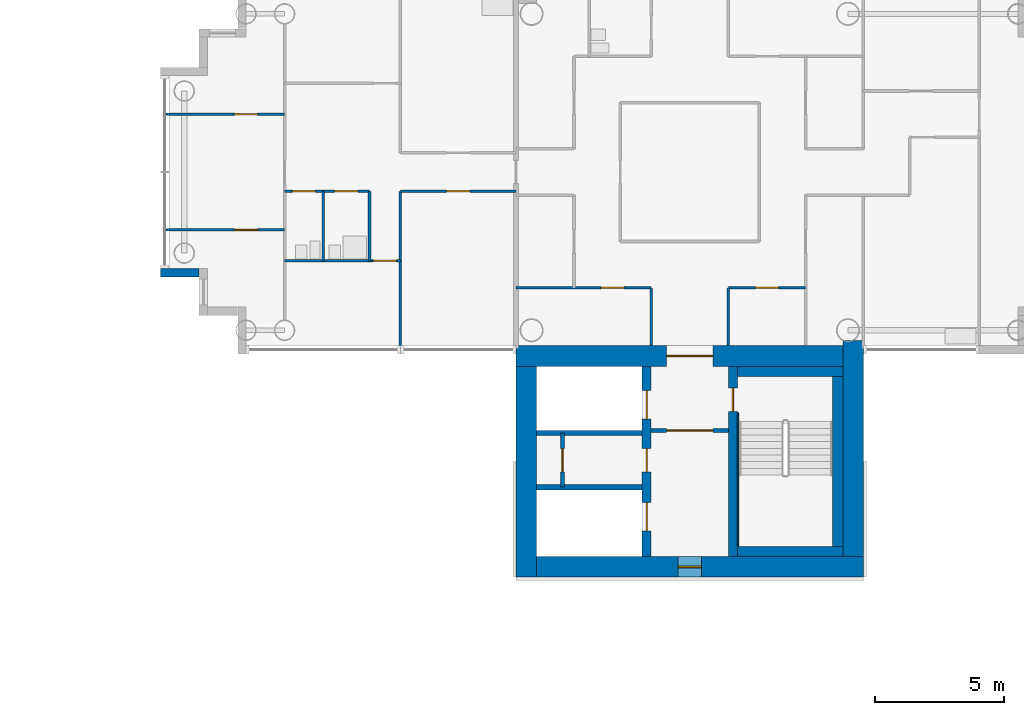
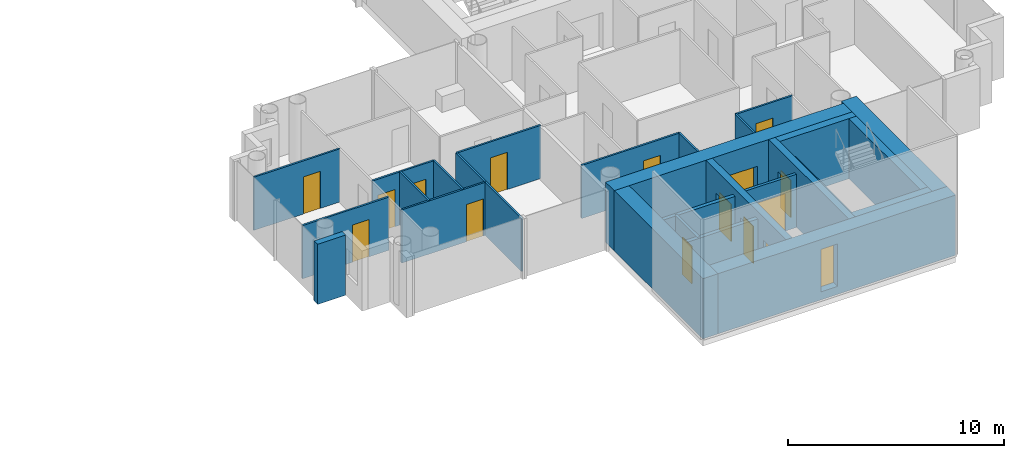
# One storey, part 10 of 20: 27 walls, 15 doors, 1 window, 16 openings.
"""IFC4 building model written with IfcOpenShell, lengths in metres."""

from ifc_helpers import new_model, si_unit, direction, frame, frame_2d, origin, place, context, subcontext, project, spatial, rectangle, extrude, material, layer, layer_set, type_object, element, fill, save


model = new_model("IFC4")

# Units and contexts
model_context = context("Model", 3, precision=1e-05, world=origin(), true_north=direction((0.0, 1.0)))
body_context = subcontext(model_context, "Body", "Model", "MODEL_VIEW")
ifc_project = project(units=[si_unit("LENGTHUNIT", "METRE"), si_unit("AREAUNIT", "SQUARE_METRE"), si_unit("VOLUMEUNIT", "CUBIC_METRE"), si_unit("PLANEANGLEUNIT", "RADIAN"), si_unit("MASSUNIT", "GRAM", prefix="KILO")], contexts=[model_context])

# Site, building, storey
site_placement = place(None, origin())
site = spatial("IfcSite", under=ifc_project, at=site_placement, CompositionType="ELEMENT")
building_placement = place(site_placement, origin())
building = spatial("IfcBuilding", under=site, at=building_placement, Name="Ipe Terrace Towers", CompositionType="ELEMENT")
storey_placement = place(building_placement, frame((0.0, 0.0, 160.89990234375)))
storey = spatial("IfcBuildingStorey", under=building, at=storey_placement, Name="L44", CompositionType="ELEMENT", Elevation=160.89990234375)

# Wall
ifc_material_1 = material(Name="Concrete C40/50 with buff precast cladding", Category="concrete")
ifc_layer_1 = layer(ifc_material_1, 0.320068359375)
ifc_layer_set_1 = layer_set([ifc_layer_1], Name="BUFF CLADDING WALL 320")
wall_type_1 = type_object("IfcWallType", Name="BUFF CLADDING WALL 320", PredefinedType="STANDARD", material=ifc_layer_set_1)
wall_1_placement = place(storey_placement, frame((15.429931640625, -3.909912109375, -0.2998046875), z_axis=(0.0, 0.0, 1.0), x_axis=(1.0, 0.0, 0.0)))
element("IfcWall", 1, at=wall_1_placement, inside=storey, type_object=wall_type_1, Name="T2-W-L44-35a wall", PredefinedType="STANDARD", context=body_context, shape_type="SweptSolid", body=[
    extrude(rectangle(XDim=1.5, YDim=0.320068359375, at=frame_2d((0.75, 0.0))), origin(), (0.0, 0.0, 1.0), 3.39990234375),
])

# Wall, opening, door
ifc_material_2 = material(Name="Gypsum board partition", Category="plasterboard")
ifc_layer_2 = layer(ifc_material_2, 0.10009765625)
ifc_layer_set_2 = layer_set([ifc_layer_2], Name="Gypsum board partition 100 mm")
wall_type_2 = type_object("IfcWallType", Name="Gypsum board partition 100 mm", PredefinedType="PARTITIONING", material=ifc_layer_set_2)
wall_2_placement = place(storey_placement, frame((40.5, -4.5, 0.0), z_axis=(0.0, 0.0, 1.0), x_axis=(-1.0, 0.0, 0.0)))
wall_2 = element("IfcWall", 2, at=wall_2_placement, inside=storey, type_object=wall_type_2, Name="Gypsum board partition T2 L44 W01", PredefinedType="PARTITIONING", context=body_context, shape_type="SweptSolid", body=[
    extrude(rectangle(XDim=3.0, YDim=0.10009765625, at=frame_2d((1.5, 0.0))), origin(), (0.0, 0.0, 1.0), 3.0),
])
opening_1_placement = place(wall_2_placement, frame((1.050048828125, 0.0, 0.0)))
opening_1 = element("IfcOpeningElement", 3, at=opening_1_placement, cuts=wall_2, Name="Opening T2-Z3C-07", PredefinedType="OPENING", context=body_context, shape_type="SweptSolid", body=[
    extrude(rectangle(XDim=0.89990234375, YDim=2.10009765625, at=frame_2d((0.449951171875, 1.050048828125))), frame((0.0, 0.06005859375, 0.0), z_axis=(0.0, -1.0, 0.0), x_axis=(1.0, 0.0, 0.0)), (0.0, 0.0, 1.0), 0.1201171875),
])
ifc_material_3 = material(Name="Timber door leaf", Category="wood")
door_type_1 = type_object("IfcDoorType", Name="Lounge door 900 x 2100", OperationType="NOTDEFINED", PredefinedType="DOOR", material=ifc_material_3)
door_1_placement = place(opening_1_placement, origin())
door_1 = element("IfcDoor", 4, at=door_1_placement, inside=storey, type_object=door_type_1, Name="Lounge door T2-Z3C-07", OperationType="SINGLE_SWING_LEFT", OverallHeight=2.10009765625, OverallWidth=0.89990234375, PredefinedType="DOOR", context=body_context, shape_type="SweptSolid", body=[
    extrude(rectangle(XDim=0.89990234375, YDim=2.10009765625, at=frame_2d((0.449951171875, 1.050048828125))), frame((0.0, 0.02490234375, 0.0), z_axis=(0.0, -1.0, 0.0), x_axis=(1.0, 0.0, 0.0)), (0.0, 0.0, 1.0), 0.050048828125),
])
fill(opening_1, door_1)

wall_3_placement = place(storey_placement, frame((34.5, -4.5, 0.0), z_axis=(0.0, 0.0, 1.0), x_axis=(-1.0, 0.0, 0.0)))
wall_3 = element("IfcWall", 5, at=wall_3_placement, inside=storey, type_object=wall_type_2, Name="Gypsum board partition T2 L44 W02", PredefinedType="PARTITIONING", context=body_context, shape_type="SweptSolid", body=[
    extrude(rectangle(XDim=5.25, YDim=0.10009765625, at=frame_2d((2.625, 0.0))), origin(), (0.0, 0.0, 1.0), 3.0),
])
opening_2_placement = place(wall_3_placement, frame((1.050048828125, 0.0, 0.0)))
opening_2 = element("IfcOpeningElement", 6, at=opening_2_placement, cuts=wall_3, Name="Opening T2-Z3C-05", PredefinedType="OPENING", context=body_context, shape_type="SweptSolid", body=[
    extrude(rectangle(XDim=0.89990234375, YDim=2.10009765625, at=frame_2d((0.449951171875, 1.050048828125))), frame((0.0, 0.06005859375, 0.0), z_axis=(0.0, -1.0, 0.0), x_axis=(1.0, 0.0, 0.0)), (0.0, 0.0, 1.0), 0.1201171875),
])
door_2_placement = place(opening_2_placement, origin())
door_2 = element("IfcDoor", 7, at=door_2_placement, inside=storey, type_object=door_type_1, Name="Lounge door T2-Z3C-05", OperationType="SINGLE_SWING_RIGHT", OverallHeight=2.10009765625, OverallWidth=0.89990234375, PredefinedType="DOOR", context=body_context, shape_type="SweptSolid", body=[
    extrude(rectangle(XDim=0.89990234375, YDim=2.10009765625, at=frame_2d((0.449951171875, 1.050048828125))), frame((0.0, 0.02490234375, 0.0), z_axis=(0.0, -1.0, 0.0), x_axis=(1.0, 0.0, 0.0)), (0.0, 0.0, 1.0), 0.050048828125),
])
fill(opening_2, door_2)

wall_4_placement = place(storey_placement, frame((24.75, -3.449951171875, 0.0), z_axis=(0.0, 0.0, 1.0), x_axis=(-1.0, 0.0, 0.0)))
wall_4 = element("IfcWall", 8, at=wall_4_placement, inside=storey, type_object=wall_type_2, Name="Gypsum board partition T2 L44 W03", PredefinedType="PARTITIONING", context=body_context, shape_type="SweptSolid", body=[
    extrude(rectangle(XDim=4.5, YDim=0.10009765625, at=frame_2d((2.25, 0.0))), origin(), (0.0, 0.0, 1.0), 3.0),
])
opening_3_placement = place(wall_4_placement, frame((0.14990234375, 0.0, 0.0)))
opening_3 = element("IfcOpeningElement", 9, at=opening_3_placement, cuts=wall_4, Name="Opening T2-Z3C-15", PredefinedType="OPENING", context=body_context, shape_type="SweptSolid", body=[
    extrude(rectangle(XDim=0.89990234375, YDim=2.10009765625, at=frame_2d((0.449951171875, 1.050048828125))), frame((0.0, 0.06005859375, 0.0), z_axis=(0.0, -1.0, 0.0), x_axis=(1.0, 0.0, 0.0)), (0.0, 0.0, 1.0), 0.1201171875),
])
ifc_material_4 = material(Name="Timber door leaf", Category="wood")
door_type_2 = type_object("IfcDoorType", Name="Bedroom door 900 x 2100", OperationType="NOTDEFINED", PredefinedType="DOOR", material=ifc_material_4)
door_3_placement = place(opening_3_placement, origin())
door_3 = element("IfcDoor", 10, at=door_3_placement, inside=storey, type_object=door_type_2, Name="Bedroom door T2-Z3C-15", OperationType="SINGLE_SWING_RIGHT", OverallHeight=2.10009765625, OverallWidth=0.89990234375, PredefinedType="DOOR", context=body_context, shape_type="SweptSolid", body=[
    extrude(rectangle(XDim=0.89990234375, YDim=2.10009765625, at=frame_2d((0.449951171875, 1.050048828125))), frame((0.0, 0.02490234375, 0.0), z_axis=(0.0, -1.0, 0.0), x_axis=(1.0, 0.0, 0.0)), (0.0, 0.0, 1.0), 0.050048828125),
])
fill(opening_3, door_3)

wall_5_placement = place(storey_placement, frame((20.25, -2.25, 0.0), z_axis=(0.0, 0.0, 1.0), x_axis=(-1.0, 0.0, 0.0)))
wall_5 = element("IfcWall", 11, at=wall_5_placement, inside=storey, type_object=wall_type_2, Name="Gypsum board partition T2 L44 W05", PredefinedType="PARTITIONING", context=body_context, shape_type="SweptSolid", body=[
    extrude(rectangle(XDim=4.60009765625, YDim=0.10009765625, at=frame_2d((2.300048828125, 0.0))), origin(), (0.0, 0.0, 1.0), 3.0),
])
opening_4_placement = place(wall_5_placement, frame((1.050048828125, 0.0, 0.0)))
opening_4 = element("IfcOpeningElement", 12, at=opening_4_placement, cuts=wall_5, Name="Opening T2-Z3C-18", PredefinedType="OPENING", context=body_context, shape_type="SweptSolid", body=[
    extrude(rectangle(XDim=0.89990234375, YDim=2.10009765625, at=frame_2d((0.449951171875, 1.050048828125))), frame((0.0, 0.06005859375, 0.0), z_axis=(0.0, -1.0, 0.0), x_axis=(1.0, 0.0, 0.0)), (0.0, 0.0, 1.0), 0.1201171875),
])
door_4_placement = place(opening_4_placement, origin())
door_4 = element("IfcDoor", 13, at=door_4_placement, inside=storey, type_object=door_type_2, Name="Bedroom door T2-Z3C-18", OperationType="SINGLE_SWING_RIGHT", OverallHeight=2.10009765625, OverallWidth=0.89990234375, PredefinedType="DOOR", context=body_context, shape_type="SweptSolid", body=[
    extrude(rectangle(XDim=0.89990234375, YDim=2.10009765625, at=frame_2d((0.449951171875, 1.050048828125))), frame((0.0, 0.02490234375, 0.0), z_axis=(0.0, -1.0, 0.0), x_axis=(1.0, 0.0, 0.0)), (0.0, 0.0, 1.0), 0.050048828125),
])
fill(opening_4, door_4)

wall_6_placement = place(storey_placement, frame((29.25, -0.75, 0.0), z_axis=(0.0, 0.0, 1.0), x_axis=(-1.0, 0.0, 0.0)))
wall_6 = element("IfcWall", 14, at=wall_6_placement, inside=storey, type_object=wall_type_2, Name="Gypsum board partition T2 L44 W08", PredefinedType="PARTITIONING", context=body_context, shape_type="SweptSolid", body=[
    extrude(rectangle(XDim=4.5, YDim=0.10009765625, at=frame_2d((2.25, 0.0))), origin(), (0.0, 0.0, 1.0), 3.0),
])
opening_5_placement = place(wall_6_placement, frame((1.800048828125, 0.0, 0.0)))
opening_5 = element("IfcOpeningElement", 15, at=opening_5_placement, cuts=wall_6, Name="Opening T2-Z3C-10", PredefinedType="OPENING", context=body_context, shape_type="SweptSolid", body=[
    extrude(rectangle(XDim=0.89990234375, YDim=2.10009765625, at=frame_2d((0.449951171875, 1.050048828125))), frame((0.0, 0.06005859375, 0.0), z_axis=(0.0, -1.0, 0.0), x_axis=(1.0, 0.0, 0.0)), (0.0, 0.0, 1.0), 0.1201171875),
])
door_5_placement = place(opening_5_placement, origin())
door_5 = element("IfcDoor", 16, at=door_5_placement, inside=storey, type_object=door_type_1, Name="Lounge door T2-Z3C-10", OperationType="SINGLE_SWING_LEFT", OverallHeight=2.10009765625, OverallWidth=0.89990234375, PredefinedType="DOOR", context=body_context, shape_type="SweptSolid", body=[
    extrude(rectangle(XDim=0.89990234375, YDim=2.10009765625, at=frame_2d((0.449951171875, 1.050048828125))), frame((0.0, 0.02490234375, 0.0), z_axis=(0.0, -1.0, 0.0), x_axis=(1.0, 0.0, 0.0)), (0.0, 0.0, 1.0), 0.050048828125),
])
fill(opening_5, door_5)

# Wall, openings, doors
wall_7_placement = place(storey_placement, frame((23.550048828125, -0.75, 0.0), z_axis=(0.0, 0.0, 1.0), x_axis=(-1.0, 0.0, 0.0)))
wall_7 = element("IfcWall", 17, at=wall_7_placement, inside=storey, type_object=wall_type_2, Name="Gypsum board partition T2 L44 W09", PredefinedType="PARTITIONING", context=body_context, shape_type="SweptSolid", body=[
    extrude(rectangle(XDim=3.300048828125, YDim=0.10009765625, at=frame_2d((1.64990234375, 0.0))), origin(), (0.0, 0.0, 1.0), 3.0),
])
opening_6_placement = place(wall_7_placement, frame((0.449951171875, 0.0, 0.0)))
opening_6 = element("IfcOpeningElement", 18, at=opening_6_placement, cuts=wall_7, Name="Opening T2-Z3C-13", PredefinedType="OPENING", context=body_context, shape_type="SweptSolid", body=[
    extrude(rectangle(XDim=0.89990234375, YDim=2.10009765625, at=frame_2d((0.449951171875, 1.050048828125))), frame((0.0, 0.06005859375, 0.0), z_axis=(0.0, -1.0, 0.0), x_axis=(1.0, 0.0, 0.0)), (0.0, 0.0, 1.0), 0.1201171875),
])
opening_7_placement = place(wall_7_placement, frame((2.10009765625, 0.0, 0.0)))
opening_7 = element("IfcOpeningElement", 19, at=opening_7_placement, cuts=wall_7, Name="Opening T2-Z3C-14", PredefinedType="OPENING", context=body_context, shape_type="SweptSolid", body=[
    extrude(rectangle(XDim=0.89990234375, YDim=2.10009765625, at=frame_2d((0.449951171875, 1.050048828125))), frame((0.0, 0.06005859375, 0.0), z_axis=(0.0, -1.0, 0.0), x_axis=(1.0, 0.0, 0.0)), (0.0, 0.0, 1.0), 0.1201171875),
])
ifc_material_5 = material(Name="Timber door leaf", Category="wood")
door_type_3 = type_object("IfcDoorType", Name="Bathroom door 900 x 2100", OperationType="NOTDEFINED", PredefinedType="DOOR", material=ifc_material_5)
door_6_placement = place(opening_6_placement, origin())
door_6 = element("IfcDoor", 20, at=door_6_placement, inside=storey, type_object=door_type_3, Name="Bathroom door T2-Z3C-13", OperationType="SINGLE_SWING_RIGHT", OverallHeight=2.10009765625, OverallWidth=0.89990234375, PredefinedType="DOOR", context=body_context, shape_type="SweptSolid", body=[
    extrude(rectangle(XDim=0.89990234375, YDim=2.10009765625, at=frame_2d((0.449951171875, 1.050048828125))), frame((0.0, 0.02490234375, 0.0), z_axis=(0.0, -1.0, 0.0), x_axis=(1.0, 0.0, 0.0)), (0.0, 0.0, 1.0), 0.050048828125),
])
fill(opening_6, door_6)
door_7_placement = place(opening_7_placement, origin())
door_7 = element("IfcDoor", 21, at=door_7_placement, inside=storey, type_object=door_type_3, Name="Bathroom door T2-Z3C-14", OperationType="SINGLE_SWING_LEFT", OverallHeight=2.10009765625, OverallWidth=0.89990234375, PredefinedType="DOOR", context=body_context, shape_type="SweptSolid", body=[
    extrude(rectangle(XDim=0.89990234375, YDim=2.10009765625, at=frame_2d((0.449951171875, 1.050048828125))), frame((0.0, 0.02490234375, 0.0), z_axis=(0.0, -1.0, 0.0), x_axis=(1.0, 0.0, 0.0)), (0.0, 0.0, 1.0), 0.050048828125),
])
fill(opening_7, door_7)

# Wall, opening, door
wall_8_placement = place(storey_placement, frame((20.25, 2.25, 0.0), z_axis=(0.0, 0.0, 1.0), x_axis=(-1.0, 0.0, 0.0)))
wall_8 = element("IfcWall", 22, at=wall_8_placement, inside=storey, type_object=wall_type_2, Name="Gypsum board partition T2 L44 W14", PredefinedType="PARTITIONING", context=body_context, shape_type="SweptSolid", body=[
    extrude(rectangle(XDim=4.60009765625, YDim=0.10009765625, at=frame_2d((2.300048828125, 0.0))), origin(), (0.0, 0.0, 1.0), 3.0),
])
opening_8_placement = place(wall_8_placement, frame((1.050048828125, 0.0, 0.0)))
opening_8 = element("IfcOpeningElement", 23, at=opening_8_placement, cuts=wall_8, Name="Opening T2-Z3C-19", PredefinedType="OPENING", context=body_context, shape_type="SweptSolid", body=[
    extrude(rectangle(XDim=0.89990234375, YDim=2.10009765625, at=frame_2d((0.449951171875, 1.050048828125))), frame((0.0, 0.06005859375, 0.0), z_axis=(0.0, -1.0, 0.0), x_axis=(1.0, 0.0, 0.0)), (0.0, 0.0, 1.0), 0.1201171875),
])
door_8_placement = place(opening_8_placement, origin())
door_8 = element("IfcDoor", 24, at=door_8_placement, inside=storey, type_object=door_type_2, Name="Bedroom door T2-Z3C-19", OperationType="SINGLE_SWING_LEFT", OverallHeight=2.10009765625, OverallWidth=0.89990234375, PredefinedType="DOOR", context=body_context, shape_type="SweptSolid", body=[
    extrude(rectangle(XDim=0.89990234375, YDim=2.10009765625, at=frame_2d((0.449951171875, 1.050048828125))), frame((0.0, 0.02490234375, 0.0), z_axis=(0.0, -1.0, 0.0), x_axis=(1.0, 0.0, 0.0)), (0.0, 0.0, 1.0), 0.050048828125),
])
fill(opening_8, door_8)

# Walls
for number, where, z_axis, x_axis, name in (
    (25, (37.5, -6.75, 0.0), (0.0, 0.0, 1.0), (0.0, 1.0, 0.0), "Gypsum board partition T2 L44 W30"),
    (26, (34.5, -6.75, 0.0), (0.0, 0.0, 1.0), (0.0, 1.0, 0.0), "Gypsum board partition T2 L44 W34"),
):
    element("IfcWall", number, at=place(storey_placement, frame(where, z_axis=z_axis, x_axis=x_axis)), inside=storey, type_object=wall_type_2, Name=name, PredefinedType="PARTITIONING", context=body_context, shape_type="SweptSolid", body=[
        extrude(rectangle(XDim=2.25, YDim=0.10009765625, at=frame_2d((1.125, 0.0))), origin(), (0.0, 0.0, 1.0), 3.0),
    ])
wall_9_placement = place(storey_placement, frame((24.75, -6.85009765625, 0.0), z_axis=(0.0, 0.0, 1.0), x_axis=(0.0, 1.0, 0.0)))
element("IfcWall", 27, at=wall_9_placement, inside=storey, type_object=wall_type_2, Name="Gypsum board partition T2 L44 W43", PredefinedType="PARTITIONING", context=body_context, shape_type="SweptSolid", body=[
    extrude(rectangle(XDim=6.10009765625, YDim=0.10009765625, at=frame_2d((3.050048828125, 0.0))), origin(), (0.0, 0.0, 1.0), 3.0),
])
for number, where, z_axis, x_axis, name in (
    (28, (23.550048828125, -3.449951171875, 0.0), (0.0, 0.0, 1.0), (0.0, 1.0, 0.0), "Gypsum board partition T2 L44 W45"),
    (29, (21.75, -3.449951171875, 0.0), (0.0, 0.0, 1.0), (0.0, 1.0, 0.0), "Gypsum board partition T2 L44 W46"),
):
    element("IfcWall", number, at=place(storey_placement, frame(where, z_axis=z_axis, x_axis=x_axis)), inside=storey, type_object=wall_type_2, Name=name, PredefinedType="PARTITIONING", context=body_context, shape_type="SweptSolid", body=[
        extrude(rectangle(XDim=2.699951171875, YDim=0.10009765625, at=frame_2d((1.35009765625, 0.0))), origin(), (0.0, 0.0, 1.0), 3.0),
    ])

# Wall, opening, door
ifc_material_6 = material(Name="Gypsum board partition", Category="plasterboard")
ifc_layer_3 = layer(ifc_material_6, 0.14990234375)
ifc_layer_set_3 = layer_set([ifc_layer_3], Name="Gypsum board partition 150 mm")
wall_type_3 = type_object("IfcWallType", Name="Gypsum board partition 150 mm", PredefinedType="PARTITIONING", material=ifc_layer_set_3)
wall_10_placement = place(storey_placement, frame((34.5, -10.050048828125, 0.0), z_axis=(0.0, 0.0, 1.0), x_axis=(1.0, 0.0, 0.0)))
wall_10 = element("IfcWall", 30, at=wall_10_placement, inside=storey, type_object=wall_type_3, Name="Gypsum board partition T2 L44 t2c2-lobby-wall", PredefinedType="PARTITIONING", context=body_context, shape_type="SweptSolid", body=[
    extrude(rectangle(XDim=3.0, YDim=0.14990234375, at=frame_2d((1.5, 0.0))), origin(), (0.0, 0.0, 1.0), 3.0),
])
opening_9_placement = place(wall_10_placement, frame((0.60009765625, 0.0, 0.0)))
opening_9 = element("IfcOpeningElement", 31, at=opening_9_placement, cuts=wall_10, Name="Opening T2C2-VD", PredefinedType="OPENING", context=body_context, shape_type="SweptSolid", body=[
    extrude(rectangle(XDim=1.800048828125, YDim=2.10009765625, at=frame_2d((0.89990234375, 1.050048828125))), frame((0.0, 0.0849609375, 0.0), z_axis=(0.0, -1.0, 0.0), x_axis=(1.0, 0.0, 0.0)), (0.0, 0.0, 1.0), 0.169921875),
])
ifc_material_7 = material(Name="Fire-rated timber door leaf", Category="wood")
door_type_4 = type_object("IfcDoorType", Name="Lobby door 1800 x 2100 FD60", OperationType="NOTDEFINED", PredefinedType="DOOR", material=ifc_material_7)
door_9_placement = place(opening_9_placement, origin())
door_9 = element("IfcDoor", 32, at=door_9_placement, inside=storey, type_object=door_type_4, Name="Lobby door T2C2-VD", OperationType="SINGLE_SWING_LEFT", OverallHeight=2.10009765625, OverallWidth=1.800048828125, PredefinedType="DOOR", context=body_context, shape_type="SweptSolid", body=[
    extrude(rectangle(XDim=1.800048828125, YDim=2.10009765625, at=frame_2d((0.89990234375, 1.050048828125))), frame((0.0, 0.02490234375, 0.0), z_axis=(0.0, -1.0, 0.0), x_axis=(1.0, 0.0, 0.0)), (0.0, 0.0, 1.0), 0.050048828125),
])
fill(opening_9, door_9)

wall_11_placement = place(storey_placement, frame((31.050048828125, -10.14990234375, 0.0), z_axis=(0.0, 0.0, 1.0), x_axis=(0.0, -1.0, 0.0)))
wall_11 = element("IfcWall", 33, at=wall_11_placement, inside=storey, type_object=wall_type_3, Name="Gypsum board partition T2 L44 t2c2-q-back", PredefinedType="PARTITIONING", context=body_context, shape_type="SweptSolid", body=[
    extrude(rectangle(XDim=2.10009765625, YDim=0.14990234375, at=frame_2d((1.050048828125, 0.0))), origin(), (0.0, 0.0, 1.0), 3.0),
])
opening_10_placement = place(wall_11_placement, frame((0.60009765625, 0.0, 0.0)))
opening_10 = element("IfcOpeningElement", 34, at=opening_10_placement, cuts=wall_11, Name="Opening T2C2-RB", PredefinedType="OPENING", context=body_context, shape_type="SweptSolid", body=[
    extrude(rectangle(XDim=0.89990234375, YDim=2.10009765625, at=frame_2d((0.449951171875, 1.050048828125))), frame((0.0, 0.0849609375, 0.0), z_axis=(0.0, -1.0, 0.0), x_axis=(1.0, 0.0, 0.0)), (0.0, 0.0, 1.0), 0.169921875),
])
ifc_material_8 = material(Name="Fire-rated timber door leaf", Category="wood")
door_type_5 = type_object("IfcDoorType", Name="Service door 900 x 2100 FD60", OperationType="NOTDEFINED", PredefinedType="DOOR", material=ifc_material_8)
door_10_placement = place(opening_10_placement, origin())
door_10 = element("IfcDoor", 35, at=door_10_placement, inside=storey, type_object=door_type_5, Name="Service door T2C2-RB", OperationType="SINGLE_SWING_LEFT", OverallHeight=2.10009765625, OverallWidth=0.89990234375, PredefinedType="DOOR", context=body_context, shape_type="SweptSolid", body=[
    extrude(rectangle(XDim=0.89990234375, YDim=2.10009765625, at=frame_2d((0.449951171875, 1.050048828125))), frame((0.0, 0.02490234375, 0.0), z_axis=(0.0, -1.0, 0.0), x_axis=(1.0, 0.0, 0.0)), (0.0, 0.0, 1.0), 0.050048828125),
])
fill(opening_10, door_10)

# Walls
ifc_material_9 = material(Name="Gypsum board party wall", Category="plasterboard")
ifc_layer_4 = layer(ifc_material_9, 0.199951171875)
ifc_layer_set_4 = layer_set([ifc_layer_4], Name="Gypsum board party wall 200 mm")
wall_type_4 = type_object("IfcWallType", Name="Gypsum board party wall 200 mm", PredefinedType="SOLIDWALL", material=ifc_layer_set_4)
for number, where, z_axis, x_axis, name in (
    (36, (30.050048828125, -12.25, 0.0), (0.0, 0.0, 1.0), (1.0, 0.0, 0.0), "Gypsum board party wall T2 L44 t2c2-shaft-div2"),
    (37, (30.050048828125, -10.14990234375, 0.0), (0.0, 0.0, 1.0), (1.0, 0.0, 0.0), "Gypsum board party wall T2 L44 t2c2-shaft-div1"),
):
    element("IfcWall", number, at=place(storey_placement, frame(where, z_axis=z_axis, x_axis=x_axis)), inside=storey, type_object=wall_type_4, Name=name, PredefinedType="SOLIDWALL", context=body_context, shape_type="SweptSolid", body=[
        extrude(rectangle(XDim=4.099853515625, YDim=0.199951171875, at=frame_2d((2.0498046875, 0.0))), origin(), (0.0, 0.0, 1.0), 3.0),
    ])

# Wall, openings, doors
ifc_material_10 = material(Name="Concrete C50/60", Category="concrete")
ifc_layer_5 = layer(ifc_material_10, 0.35009765625)
ifc_layer_set_5 = layer_set([ifc_layer_5], Name="RW350 CORE SPINE WALL 350 C50-60")
wall_type_5 = type_object("IfcWallType", Name="RW350 CORE SPINE WALL 350 C50-60", PredefinedType="SHEAR", material=ifc_layer_set_5)
wall_12_placement = place(storey_placement, frame((34.324951171875, -14.949951171875, 0.0), z_axis=(0.0, 0.0, 1.0), x_axis=(0.0, 1.0, 0.0)))
wall_12 = element("IfcWall", 38, at=wall_12_placement, inside=storey, type_object=wall_type_5, Name="Core spine wall T2-C2-Z3-SW1", PredefinedType="SHEAR", context=body_context, shape_type="SweptSolid", body=[
    extrude(rectangle(XDim=7.39990234375, YDim=0.35009765625, at=frame_2d((3.699951171875, 0.0))), origin(), (0.0, 0.0, 1.0), 3.400146484375),
])
opening_11_placement = place(wall_12_placement, frame((5.35009765625, 0.0, 0.0)))
opening_11 = element("IfcOpeningElement", 39, at=opening_11_placement, cuts=wall_12, Name="Opening T2C2-LD1", PredefinedType="OPENING", context=body_context, shape_type="SweptSolid", body=[
    extrude(rectangle(XDim=1.10009765625, YDim=2.10009765625, at=frame_2d((0.550048828125, 1.050048828125))), frame((0.0, 0.18505859375, 0.0), z_axis=(0.0, -1.0, 0.0), x_axis=(1.0, 0.0, 0.0)), (0.0, 0.0, 1.0), 0.3701171875),
])
opening_12_placement = place(wall_12_placement, frame((1.0, 0.0, 0.0)))
opening_12 = element("IfcOpeningElement", 40, at=opening_12_placement, cuts=wall_12, Name="Opening T2C2-LD3", PredefinedType="OPENING", context=body_context, shape_type="SweptSolid", body=[
    extrude(rectangle(XDim=1.10009765625, YDim=2.10009765625, at=frame_2d((0.550048828125, 1.050048828125))), frame((0.0, 0.18505859375, 0.0), z_axis=(0.0, -1.0, 0.0), x_axis=(1.0, 0.0, 0.0)), (0.0, 0.0, 1.0), 0.3701171875),
])
opening_13_placement = place(wall_12_placement, frame((3.300048828125, 0.0, 0.0)))
opening_13 = element("IfcOpeningElement", 41, at=opening_13_placement, cuts=wall_12, Name="Opening T2C2-R1-FD30S", PredefinedType="OPENING", context=body_context, shape_type="SweptSolid", body=[
    extrude(rectangle(XDim=0.89990234375, YDim=2.10009765625, at=frame_2d((0.449951171875, 1.050048828125))), frame((0.0, 0.18505859375, 0.0), z_axis=(0.0, -1.0, 0.0), x_axis=(1.0, 0.0, 0.0)), (0.0, 0.0, 1.0), 0.3701171875),
])
ifc_material_11 = material(Name="Fire-rated timber door leaf", Category="wood")
door_type_6 = type_object("IfcDoorType", Name="Sliding door 1100 x 2100 FD60", OperationType="SLIDING_TO_LEFT", PredefinedType="DOOR", material=ifc_material_11)
door_11_placement = place(opening_11_placement, origin())
door_11 = element("IfcDoor", 42, at=door_11_placement, inside=storey, type_object=door_type_6, Name="Sliding door T2C2-LD1", OperationType="SLIDING_TO_LEFT", OverallHeight=2.10009765625, OverallWidth=1.10009765625, PredefinedType="DOOR", context=body_context, shape_type="SweptSolid", body=[
    extrude(rectangle(XDim=1.10009765625, YDim=2.10009765625, at=frame_2d((0.550048828125, 1.050048828125))), frame((0.0, 0.02490234375, 0.0), z_axis=(0.0, -1.0, 0.0), x_axis=(1.0, 0.0, 0.0)), (0.0, 0.0, 1.0), 0.050048828125),
])
fill(opening_11, door_11)
door_12_placement = place(opening_12_placement, origin())
door_12 = element("IfcDoor", 43, at=door_12_placement, inside=storey, type_object=door_type_6, Name="Sliding door T2C2-LD3", OperationType="SLIDING_TO_LEFT", OverallHeight=2.10009765625, OverallWidth=1.10009765625, PredefinedType="DOOR", context=body_context, shape_type="SweptSolid", body=[
    extrude(rectangle(XDim=1.10009765625, YDim=2.10009765625, at=frame_2d((0.550048828125, 1.050048828125))), frame((0.0, 0.02490234375, 0.0), z_axis=(0.0, -1.0, 0.0), x_axis=(1.0, 0.0, 0.0)), (0.0, 0.0, 1.0), 0.050048828125),
])
fill(opening_12, door_12)
ifc_material_12 = material(Name="Fire-rated timber door leaf", Category="wood")
door_type_7 = type_object("IfcDoorType", Name="Store door 900 x 2100 FD30S", OperationType="NOTDEFINED", PredefinedType="DOOR", material=ifc_material_12)
door_13_placement = place(opening_13_placement, origin())
door_13 = element("IfcDoor", 44, at=door_13_placement, inside=storey, type_object=door_type_7, Name="Store door T2C2-R1-FD30S", OperationType="SINGLE_SWING_LEFT", OverallHeight=2.10009765625, OverallWidth=0.89990234375, PredefinedType="DOOR", context=body_context, shape_type="SweptSolid", body=[
    extrude(rectangle(XDim=0.89990234375, YDim=2.10009765625, at=frame_2d((0.449951171875, 1.050048828125))), frame((0.0, 0.02490234375, 0.0), z_axis=(0.0, -1.0, 0.0), x_axis=(1.0, 0.0, 0.0)), (0.0, 0.0, 1.0), 0.050048828125),
])
fill(opening_13, door_13)

# Wall, opening, door
wall_13_placement = place(storey_placement, frame((37.675048828125, -14.949951171875, 0.0), z_axis=(0.0, 0.0, 1.0), x_axis=(0.0, 1.0, 0.0)))
wall_13 = element("IfcWall", 45, at=wall_13_placement, inside=storey, type_object=wall_type_5, Name="Core spine wall T2-C2-Z3-SW2", PredefinedType="SHEAR", context=body_context, shape_type="SweptSolid", body=[
    extrude(rectangle(XDim=7.39990234375, YDim=0.35009765625, at=frame_2d((3.699951171875, 0.0))), origin(), (0.0, 0.0, 1.0), 3.400146484375),
])
opening_14_placement = place(wall_13_placement, frame((5.64990234375, 0.0, 0.0)))
opening_14 = element("IfcOpeningElement", 46, at=opening_14_placement, cuts=wall_13, Name="Opening T2C2-SD", PredefinedType="OPENING", context=body_context, shape_type="SweptSolid", body=[
    extrude(rectangle(XDim=0.89990234375, YDim=2.10009765625, at=frame_2d((0.449951171875, 1.050048828125))), frame((0.0, 0.18505859375, 0.0), z_axis=(0.0, -1.0, 0.0), x_axis=(1.0, 0.0, 0.0)), (0.0, 0.0, 1.0), 0.3701171875),
])
ifc_material_13 = material(Name="Fire-rated timber door leaf", Category="wood")
door_type_8 = type_object("IfcDoorType", Name="Stair door 900 x 2100 FD60", OperationType="NOTDEFINED", PredefinedType="DOOR", material=ifc_material_13)
door_14_placement = place(opening_14_placement, origin())
door_14 = element("IfcDoor", 47, at=door_14_placement, inside=storey, type_object=door_type_8, Name="Stair door T2C2-SD", OperationType="SINGLE_SWING_RIGHT", OverallHeight=2.10009765625, OverallWidth=0.89990234375, PredefinedType="DOOR", context=body_context, shape_type="SweptSolid", body=[
    extrude(rectangle(XDim=0.89990234375, YDim=2.10009765625, at=frame_2d((0.449951171875, 1.050048828125))), frame((0.0, 0.02490234375, 0.0), z_axis=(0.0, -1.0, 0.0), x_axis=(1.0, 0.0, 0.0)), (0.0, 0.0, 1.0), 0.050048828125),
])
fill(opening_14, door_14)

# Walls
ifc_material_14 = material(Name="Concrete C50/60", Category="concrete")
ifc_layer_6 = layer(ifc_material_14, 0.39990234375)
ifc_layer_set_6 = layer_set([ifc_layer_6], Name="RW400 CORE INFILL WALL 400 C50-60")
wall_type_6 = type_object("IfcWallType", Name="RW400 CORE INFILL WALL 400 C50-60", PredefinedType="SHEAR", material=ifc_layer_set_6)
wall_14_placement = place(storey_placement, frame((37.85009765625, -14.75, 0.0), z_axis=(0.0, 0.0, 1.0), x_axis=(1.0, 0.0, 0.0)))
element("IfcWall", 48, at=wall_14_placement, inside=storey, type_object=wall_type_6, Name="Core infill wall T2-C2-far", PredefinedType="SHEAR", context=body_context, shape_type="SweptSolid", body=[
    extrude(rectangle(XDim=4.099853515625, YDim=0.39990234375, at=frame_2d((2.0498046875, 0.0))), origin(), (0.0, 0.0, 1.0), 3.400146484375),
])
wall_15_placement = place(storey_placement, frame((41.75, -7.949951171875, 0.0), z_axis=(0.0, 0.0, 1.0), x_axis=(0.0, -1.0, 0.0)))
element("IfcWall", 49, at=wall_15_placement, inside=storey, type_object=wall_type_6, Name="Core infill wall T2-C2-back", PredefinedType="SHEAR", context=body_context, shape_type="SweptSolid", body=[
    extrude(rectangle(XDim=6.60009765625, YDim=0.39990234375, at=frame_2d((3.300048828125, 0.0))), origin(), (0.0, 0.0, 1.0), 3.400146484375),
])
wall_16_placement = place(storey_placement, frame((37.85009765625, -7.75, 0.0), z_axis=(0.0, 0.0, 1.0), x_axis=(1.0, 0.0, 0.0)))
element("IfcWall", 50, at=wall_16_placement, inside=storey, type_object=wall_type_6, Name="Core infill wall T2-C2-near", PredefinedType="SHEAR", context=body_context, shape_type="SweptSolid", body=[
    extrude(rectangle(XDim=4.099853515625, YDim=0.39990234375, at=frame_2d((2.0498046875, 0.0))), origin(), (0.0, 0.0, 1.0), 3.400146484375),
])
ifc_material_15 = material(Name="Concrete C50/60", Category="concrete")
ifc_layer_7 = layer(ifc_material_15, 0.050048828125)
ifc_layer_set_7 = layer_set([ifc_layer_7], Name="RW50 CORE INFILL WALL 50 C50-60")
wall_type_7 = type_object("IfcWallType", Name="RW50 CORE INFILL WALL 50 C50-60", PredefinedType="SHEAR", material=ifc_layer_set_7)
wall_17_placement = place(storey_placement, frame((37.875, -9.35009765625, 0.0), z_axis=(0.0, 0.0, 1.0), x_axis=(0.0, -1.0, 0.0)))
element("IfcWall", 51, at=wall_17_placement, inside=storey, type_object=wall_type_7, Name="Core infill wall T2-C2-spine-b", PredefinedType="SHEAR", context=body_context, shape_type="SweptSolid", body=[
    extrude(rectangle(XDim=5.199951171875, YDim=0.050048828125, at=frame_2d((2.60009765625, 0.0))), origin(), (0.0, 0.0, 1.0), 3.400146484375),
])

# Wall, opening, window
ifc_material_16 = material(Name="Concrete C50/60", Category="concrete")
ifc_layer_8 = layer(ifc_material_16, 0.800048828125)
ifc_layer_set_8 = layer_set([ifc_layer_8], Name="RW800 CORE WALL 800 C50-60")
wall_type_8 = type_object("IfcWallType", Name="RW800 CORE WALL 800 C50-60", PredefinedType="SHEAR", material=ifc_layer_set_8)
wall_18_placement = place(storey_placement, frame((30.050048828125, -15.35009765625, 0.0), z_axis=(0.0, 0.0, 1.0), x_axis=(1.0, 0.0, 0.0)))
wall_18 = element("IfcWall", 52, at=wall_18_placement, inside=storey, type_object=wall_type_8, Name="Core wall T2-C2-Z3-W01", PredefinedType="SHEAR", context=body_context, shape_type="SweptSolid", body=[
    extrude(rectangle(XDim=12.699951171875, YDim=0.800048828125, at=frame_2d((6.35009765625, 0.0))), origin(), (0.0, 0.0, 1.0), 3.400146484375),
])
opening_15_placement = place(wall_18_placement, frame((5.5, 0.0, 0.449951171875)))
opening_15 = element("IfcOpeningElement", 53, at=opening_15_placement, cuts=wall_18, Name="Opening T2-C2-W-01-L44", PredefinedType="OPENING", context=body_context, shape_type="SweptSolid", body=[
    extrude(rectangle(XDim=0.89990234375, YDim=2.39990234375, at=frame_2d((0.449951171875, 1.199951171875))), frame((0.0, 0.41015625, 0.0), z_axis=(0.0, -1.0, 0.0), x_axis=(1.0, 0.0, 0.0)), (0.0, 0.0, 1.0), 0.820068359375),
])
ifc_material_17 = material(Name="Fire-resistant glazing EI 60", Category="glass")
window_type = type_object("IfcWindowType", Name="CORRIDOR END SLOT WINDOW 900 x 2400 EI 60", PartitioningType="SINGLE_PANEL", PredefinedType="WINDOW", material=ifc_material_17)
window_placement = place(opening_15_placement, origin())
window = element("IfcWindow", 54, at=window_placement, inside=storey, type_object=window_type, Name="W-01 window", OverallHeight=2.39990234375, OverallWidth=0.89990234375, PartitioningType="SINGLE_PANEL", PredefinedType="WINDOW", context=body_context, shape_type="SweptSolid", body=[
    extrude(rectangle(XDim=0.89990234375, YDim=2.39990234375, at=frame_2d((0.449951171875, 1.199951171875))), frame((0.0, 0.030029296875, 0.0), z_axis=(0.0, -1.0, 0.0), x_axis=(1.0, 0.0, 0.0)), (0.0, 0.0, 1.0), 0.06005859375),
])
fill(opening_15, window)

# Wall
wall_19_placement = place(storey_placement, frame((42.35009765625, -14.949951171875, 0.0), z_axis=(0.0, 0.0, 1.0), x_axis=(0.0, 1.0, 0.0)))
element("IfcWall", 55, at=wall_19_placement, inside=storey, type_object=wall_type_8, Name="Core wall T2-C2-Z3-W02", PredefinedType="SHEAR", context=body_context, shape_type="SweptSolid", body=[
    extrude(rectangle(XDim=8.39794921875, YDim=0.800048828125, at=frame_2d((4.198974609375, 0.0))), origin(), (0.0, 0.0, 1.0), 3.400146484375),
])

# Wall, opening, door
wall_20_placement = place(storey_placement, frame((41.949951171875, -7.14990234375, 0.0), z_axis=(0.0, 0.0, 1.0), x_axis=(-1.0, 0.0, 0.0)))
wall_20 = element("IfcWall", 56, at=wall_20_placement, inside=storey, type_object=wall_type_8, Name="Core wall T2-C2-Z3-W03", PredefinedType="SHEAR", context=body_context, shape_type="SweptSolid", body=[
    extrude(rectangle(XDim=12.699951171875, YDim=0.800048828125, at=frame_2d((6.35009765625, 0.0))), origin(), (0.0, 0.0, 1.0), 3.400146484375),
])
opening_16_placement = place(wall_20_placement, frame((5.050048828125, 0.0, 0.0)))
opening_16 = element("IfcOpeningElement", 57, at=opening_16_placement, cuts=wall_20, Name="Opening T2C2-ND", PredefinedType="OPENING", context=body_context, shape_type="SweptSolid", body=[
    extrude(rectangle(XDim=1.800048828125, YDim=2.10009765625, at=frame_2d((0.89990234375, 1.050048828125))), frame((0.0, 0.41015625, 0.0), z_axis=(0.0, -1.0, 0.0), x_axis=(1.0, 0.0, 0.0)), (0.0, 0.0, 1.0), 0.820068359375),
])
ifc_material_18 = material(Name="Fire-rated timber door leaf", Category="wood")
door_type_9 = type_object("IfcDoorType", Name="Fire door 1800 x 2100 FD30S", OperationType="NOTDEFINED", PredefinedType="DOOR", material=ifc_material_18)
door_15_placement = place(opening_16_placement, origin())
door_15 = element("IfcDoor", 58, at=door_15_placement, inside=storey, type_object=door_type_9, Name="Fire door T2C2-ND", OperationType="SINGLE_SWING_LEFT", OverallHeight=2.10009765625, OverallWidth=1.800048828125, PredefinedType="DOOR", context=body_context, shape_type="SweptSolid", body=[
    extrude(rectangle(XDim=1.800048828125, YDim=2.10009765625, at=frame_2d((0.89990234375, 1.050048828125))), frame((0.0, 0.02490234375, 0.0), z_axis=(0.0, -1.0, 0.0), x_axis=(1.0, 0.0, 0.0)), (0.0, 0.0, 1.0), 0.050048828125),
])
fill(opening_16, door_15)

# Wall
wall_21_placement = place(storey_placement, frame((29.64990234375, -7.550048828125, 0.0), z_axis=(0.0, 0.0, 1.0), x_axis=(0.0, -1.0, 0.0)))
element("IfcWall", 59, at=wall_21_placement, inside=storey, type_object=wall_type_8, Name="Core wall T2-C2-Z3-W04", PredefinedType="SHEAR", context=body_context, shape_type="SweptSolid", body=[
    extrude(rectangle(XDim=8.199951171875, YDim=0.800048828125, at=frame_2d((4.10009765625, 0.0))), origin(), (0.0, 0.0, 1.0), 3.400146484375),
])

save(model, "model.ifc")
